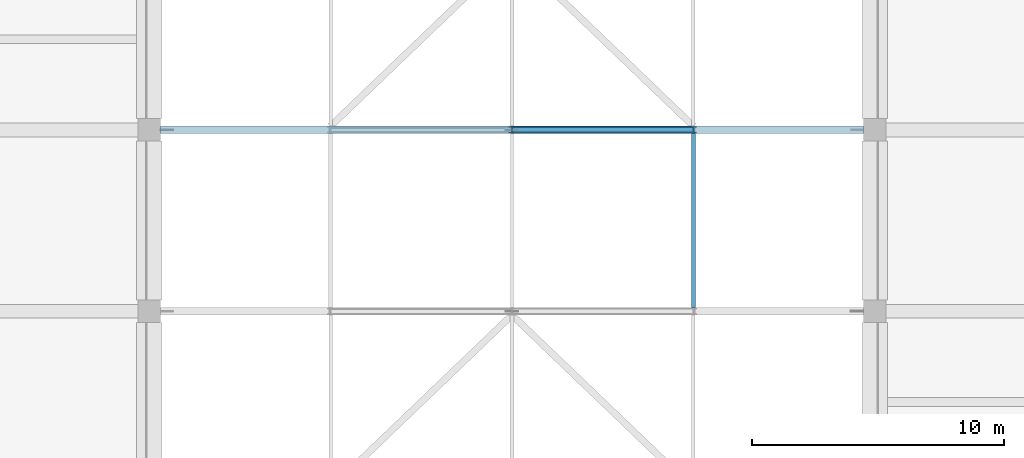
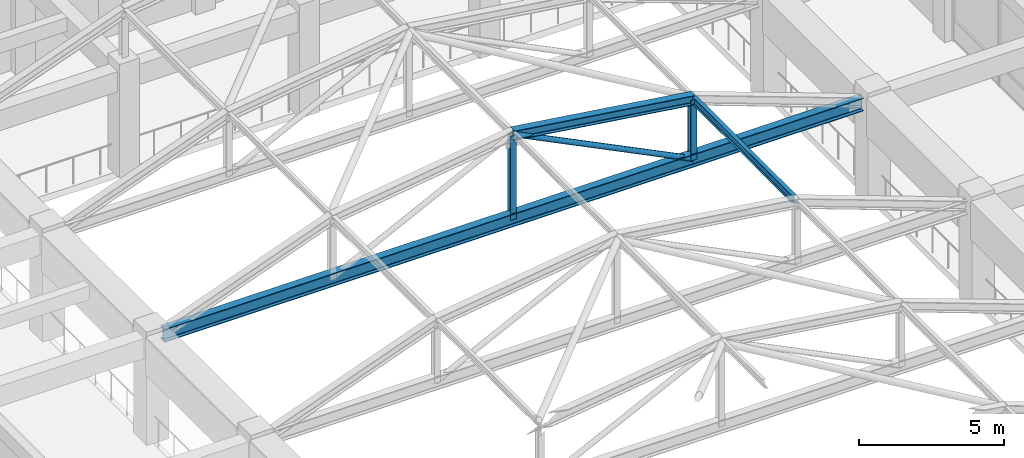
# One storey, part 21 of 75: 5 members, 1 beam.
"""IFC4 building model written with IfcOpenShell, lengths in metres."""

from ifc_helpers import new_model, si_unit, direction, frame, origin, origin_2d, place, context, subcontext, project, spatial, hollow_circle, i_section, extrude, material, material_profile, profile_set, type_object, element, save


model = new_model("IFC4")

# Units and contexts
model_context = context("Model", 3, precision=1e-05, world=origin(), true_north=direction((0.0, 1.0)))
body_context = subcontext(model_context, "Body", "Model", "MODEL_VIEW")
ifc_project = project(units=[si_unit("LENGTHUNIT", "METRE"), si_unit("AREAUNIT", "SQUARE_METRE"), si_unit("VOLUMEUNIT", "CUBIC_METRE"), si_unit("PLANEANGLEUNIT", "RADIAN"), si_unit("MASSUNIT", "GRAM", prefix="KILO")], contexts=[model_context])

# Site, building, storey
site_placement = place(None, origin())
site = spatial("IfcSite", under=ifc_project, at=site_placement, CompositionType="ELEMENT")
building_placement = place(site_placement, origin())
building = spatial("IfcBuilding", under=site, at=building_placement, Name="Cendaluz Park School", CompositionType="ELEMENT")
storey_placement = place(building_placement, frame((0.0, 0.0, 4.800048828125)))
storey = spatial("IfcBuildingStorey", under=building, at=storey_placement, Name="L01", CompositionType="ELEMENT", Elevation=4.800048828125)

# Beam
ifc_material = material(Name="Steel S355", Category="steel")
ifc_material_profile_1 = material_profile(ifc_material, i_section(OverallWidth=0.300048828125, OverallDepth=0.550048828125, WebThickness=0.014892578125, FlangeThickness=0.029052734375, FilletRadius=0.027099609375, at=origin_2d()), Name="HEB 550", Category="steel")
ifc_profile_set_1 = profile_set([ifc_material_profile_1], Name="Steel S355")
beam_type = type_object("IfcBeamType", Name="BM-ST11", PredefinedType="BEAM", material=ifc_profile_set_1)
beam_placement = place(storey_placement, frame((7.64990234375, 86.39990234375, 4.14990234375), z_axis=(1.0, 0.0, 0.0), x_axis=(0.0, 1.0, 0.0)))
element("IfcBeam", 1, at=beam_placement, inside=storey, type_object=beam_type, Name="BM-L01-BMST11-0528", PredefinedType="BEAM", context=body_context, shape_type="SweptSolid", body=[
    extrude(i_section(OverallWidth=0.300048828125, OverallDepth=0.550048828125, WebThickness=0.014892578125, FlangeThickness=0.029052734375, FilletRadius=0.027099609375, at=origin_2d()), origin(), (0.0, 0.0, 1.0), 27.900146484375),
])

# Members
ifc_material_profile_2 = material_profile(ifc_material, i_section(OverallWidth=0.300048828125, OverallDepth=0.39990234375, WebThickness=0.013916015625, FlangeThickness=0.02392578125, FilletRadius=0.027099609375, at=origin_2d()), Name="HEB 400", Category="steel")
ifc_profile_set_2 = profile_set([ifc_material_profile_2], Name="Steel S355")
member_type_1 = type_object("IfcMemberType", Name="MB-CH01", PredefinedType="CHORD", material=ifc_profile_set_2)
member_1_placement = place(storey_placement, frame((21.60009765625, 86.39990234375, 7.7099609375), z_axis=(0.990113333567, 0.0, -0.140269692708), x_axis=(0.0, 1.0, 0.0)))
element("IfcMember", 2, at=member_1_placement, inside=storey, type_object=member_type_1, Name="MB-L01-MBCH01-0037", PredefinedType="CHORD", context=body_context, shape_type="SweptSolid", body=[
    extrude(i_section(OverallWidth=0.300048828125, OverallDepth=0.39990234375, WebThickness=0.013916015625, FlangeThickness=0.02392578125, FilletRadius=0.027099609375, at=origin_2d()), origin(), (0.0, 0.0, 1.0), 7.271728515625),
])
ifc_material_profile_3 = material_profile(ifc_material, i_section(OverallWidth=0.159912109375, OverallDepth=0.330078125, WebThickness=0.008056640625, FlangeThickness=0.011962890625, FilletRadius=0.01806640625, at=origin_2d()), Name="IPE 330", Category="steel")
ifc_profile_set_3 = profile_set([ifc_material_profile_3], Name="Steel S355")
member_type_2 = type_object("IfcMemberType", Name="MB-PR02", PredefinedType="PURLIN", material=ifc_profile_set_3)
member_2_placement = place(storey_placement, frame((28.800048828125, 79.35009765625, 6.704833984375), z_axis=(0.0, 1.0, 0.0), x_axis=(-1.0, 0.0, 0.0)))
element("IfcMember", 3, at=member_2_placement, inside=storey, type_object=member_type_2, Name="MB-L01-MBPR02-0077", PredefinedType="PURLIN", context=body_context, shape_type="SweptSolid", body=[
    extrude(i_section(OverallWidth=0.159912109375, OverallDepth=0.330078125, WebThickness=0.008056640625, FlangeThickness=0.011962890625, FilletRadius=0.01806640625, at=origin_2d()), origin(), (0.0, 0.0, 1.0), 6.89990234375),
])
ifc_material_profile_4 = material_profile(ifc_material, hollow_circle(Radius=0.109619140625, WallThickness=0.010009765625, at=origin_2d()), Name="CHS 219x10", Category="steel")
ifc_profile_set_4 = profile_set([ifc_material_profile_4], Name="Steel S355")
member_type_3 = type_object("IfcMemberType", Name="MBR-02", PredefinedType="BRACE", material=ifc_profile_set_4)
member_3_placement = place(storey_placement, frame((28.800048828125, 86.39990234375, 4.14990234375), z_axis=(-0.896406248188, 0.0, 0.443233390224), x_axis=(0.0, -1.0, 0.0)))
element("IfcMember", 4, at=member_3_placement, inside=storey, type_object=member_type_3, Name="MB-L01-MBBR02-0043", PredefinedType="BRACE", context=body_context, shape_type="SweptSolid", body=[
    extrude(hollow_circle(Radius=0.109619140625, WallThickness=0.010009765625, at=origin_2d()), origin(), (0.0, 0.0, 1.0), 8.031982421875),
])
ifc_material_profile_5 = material_profile(ifc_material, i_section(OverallWidth=0.239990234375, OverallDepth=0.22998046875, WebThickness=0.008056640625, FlangeThickness=0.011962890625, FilletRadius=0.02099609375, at=origin_2d()), Name="HEA 240", Category="steel")
ifc_profile_set_5 = profile_set([ifc_material_profile_5], Name="Steel S355")
member_type_4 = type_object("IfcMemberType", Name="MST-01", PredefinedType="STRUT", material=ifc_profile_set_5)
member_4_placement = place(storey_placement, frame((21.60009765625, 86.39990234375, 4.14990234375), z_axis=(0.0, 0.0, 1.0), x_axis=(1.0, 0.0, 0.0)))
element("IfcMember", 5, at=member_4_placement, inside=storey, type_object=member_type_4, Name="MB-L01-MBST01-0040", PredefinedType="STRUT", context=body_context, shape_type="SweptSolid", body=[
    extrude(i_section(OverallWidth=0.239990234375, OverallDepth=0.22998046875, WebThickness=0.008056640625, FlangeThickness=0.011962890625, FilletRadius=0.02099609375, at=origin_2d()), origin(), (0.0, 0.0, 1.0), 3.56005859375),
])
member_5_placement = place(storey_placement, frame((28.800048828125, 86.39990234375, 4.14990234375), z_axis=(0.0, 0.0, 1.0), x_axis=(1.0, 0.0, 0.0)))
element("IfcMember", 6, at=member_5_placement, inside=storey, type_object=member_type_4, Name="MB-L01-MBST01-0041", PredefinedType="STRUT", context=body_context, shape_type="SweptSolid", body=[
    extrude(i_section(OverallWidth=0.239990234375, OverallDepth=0.22998046875, WebThickness=0.008056640625, FlangeThickness=0.011962890625, FilletRadius=0.02099609375, at=origin_2d()), origin(), (0.0, 0.0, 1.0), 2.5400390625),
])

save(model, "model.ifc")
